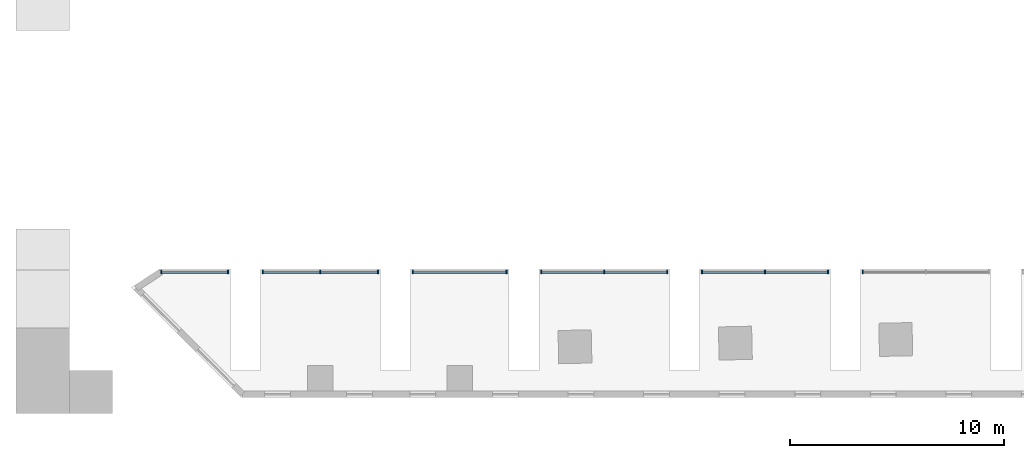
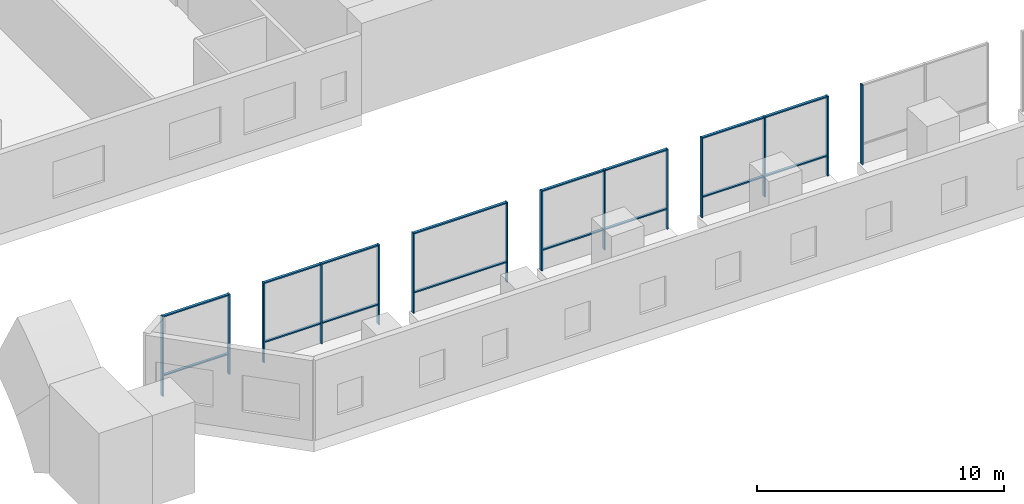
# One storey, part 2 of 12: 30 members, 6 elements without a shape of their own.
"""IFC4 building model written with IfcOpenShell, lengths in metres."""

from ifc_helpers import new_model, si_unit, direction, frame, origin, origin_2d, place, context, subcontext, project, spatial, rectangle, extrude, material, material_profile, profile_set, type_object, element, aggregate, save


model = new_model("IFC4")

# Units and contexts
model_context = context("Model", 3, precision=1e-05, world=origin(), true_north=direction((0.0, 1.0)))
body_context = subcontext(model_context, "Body", "Model", "MODEL_VIEW")
ifc_project = project(units=[si_unit("LENGTHUNIT", "METRE"), si_unit("AREAUNIT", "SQUARE_METRE"), si_unit("VOLUMEUNIT", "CUBIC_METRE"), si_unit("PLANEANGLEUNIT", "RADIAN"), si_unit("MASSUNIT", "GRAM", prefix="KILO")], contexts=[model_context])

# Site, building, storey
site_placement = place(None, origin())
site = spatial("IfcSite", under=ifc_project, at=site_placement, CompositionType="ELEMENT")
building_placement = place(site_placement, origin())
building = spatial("IfcBuilding", under=site, at=building_placement, Name="Mangrove Gate Tower", CompositionType="ELEMENT")
storey_placement = place(building_placement, frame((0.0, 0.0, 16.0)))
storey = spatial("IfcBuildingStorey", under=building, at=storey_placement, Name="L03", CompositionType="ELEMENT", Elevation=16.0)

# Curtain wall, member
ifc_material_1 = material(Name="Aluminium and glass curtain wall", Category="aluminium")
curtain_wall_type = type_object("IfcCurtainWallType", Name="Podium amenity glazing wall", PredefinedType="NOTDEFINED", material=ifc_material_1)
curtain_wall_1_placement = place(storey_placement, origin())
curtain_wall_1 = element("IfcCurtainWall", 1, at=curtain_wall_1_placement, inside=storey, type_object=curtain_wall_type, Name="Podium amenity glazing N4014", PredefinedType="NOTDEFINED")
ifc_material_2 = material(Name="Aluminium alloy 6063-T6", Category="aluminium")
ifc_material_profile_1 = material_profile(ifc_material_2, rectangle(XDim=0.06005859375, YDim=0.159912109375, at=origin_2d()))
ifc_profile_set_1 = profile_set([ifc_material_profile_1], Name="Aluminium alloy 6063-T6")
member_type_1 = type_object("IfcMemberType", Name="Podium amenity glazing mullion 60x160", PredefinedType="MULLION", material=ifc_profile_set_1)
member_1_placement = place(storey_placement, frame((0.81005859375, -25.14990234375, 0.0), z_axis=(0.0, 0.0, 1.0), x_axis=(-1.0, 0.0, 0.0)))
member_1 = element("IfcMember", 2, at=member_1_placement, type_object=member_type_1, Name="CWP mullion 3", PredefinedType="MULLION", context=body_context, shape_type="SweptSolid", body=[
    extrude(rectangle(XDim=0.06005859375, YDim=0.159912109375, at=origin_2d()), origin(), (0.0, 0.0, 1.0), 3.949951171875),
])
aggregate(curtain_wall_1, [member_1])

# Curtain wall, members
curtain_wall_2_placement = place(storey_placement, origin())
curtain_wall_2 = element("IfcCurtainWall", 3, at=curtain_wall_2_placement, inside=storey, type_object=curtain_wall_type, Name="Podium amenity glazing N4015", PredefinedType="NOTDEFINED")
member_2_placement = place(storey_placement, frame((-0.81005859375, -25.14990234375, 0.0), z_axis=(0.0, 0.0, 1.0), x_axis=(-1.0, 0.0, 0.0)))
member_2 = element("IfcMember", 4, at=member_2_placement, type_object=member_type_1, Name="CWP mullion 1", PredefinedType="MULLION", context=body_context, shape_type="SweptSolid", body=[
    extrude(rectangle(XDim=0.06005859375, YDim=0.159912109375, at=origin_2d()), origin(), (0.0, 0.0, 1.0), 3.949951171875),
])
member_3_placement = place(storey_placement, frame((-3.75, -25.14990234375, 0.0), z_axis=(0.0, 0.0, 1.0), x_axis=(-1.0, 0.0, 0.0)))
member_3 = element("IfcMember", 5, at=member_3_placement, type_object=member_type_1, Name="CWP mullion 2", PredefinedType="MULLION", context=body_context, shape_type="SweptSolid", body=[
    extrude(rectangle(XDim=0.06005859375, YDim=0.159912109375, at=origin_2d()), origin(), (0.0, 0.0, 1.0), 3.949951171875),
])
member_4_placement = place(storey_placement, frame((-6.68994140625, -25.14990234375, 0.0), z_axis=(0.0, 0.0, 1.0), x_axis=(-1.0, 0.0, 0.0)))
member_4 = element("IfcMember", 6, at=member_4_placement, type_object=member_type_1, Name="CWP mullion 3", PredefinedType="MULLION", context=body_context, shape_type="SweptSolid", body=[
    extrude(rectangle(XDim=0.06005859375, YDim=0.159912109375, at=origin_2d()), origin(), (0.0, 0.0, 1.0), 3.949951171875),
])

curtain_wall_3_placement = place(storey_placement, origin())
curtain_wall_3 = element("IfcCurtainWall", 7, at=curtain_wall_3_placement, inside=storey, type_object=curtain_wall_type, Name="Podium amenity glazing N4016", PredefinedType="NOTDEFINED")
member_5_placement = place(storey_placement, frame((-8.31005859375, -25.14990234375, 0.0), z_axis=(0.0, 0.0, 1.0), x_axis=(-1.0, 0.0, 0.0)))
member_5 = element("IfcMember", 8, at=member_5_placement, type_object=member_type_1, Name="CWP mullion 1", PredefinedType="MULLION", context=body_context, shape_type="SweptSolid", body=[
    extrude(rectangle(XDim=0.06005859375, YDim=0.159912109375, at=origin_2d()), origin(), (0.0, 0.0, 1.0), 3.949951171875),
])
member_6_placement = place(storey_placement, frame((-11.25, -25.14990234375, 0.0), z_axis=(0.0, 0.0, 1.0), x_axis=(-1.0, 0.0, 0.0)))
member_6 = element("IfcMember", 9, at=member_6_placement, type_object=member_type_1, Name="CWP mullion 2", PredefinedType="MULLION", context=body_context, shape_type="SweptSolid", body=[
    extrude(rectangle(XDim=0.06005859375, YDim=0.159912109375, at=origin_2d()), origin(), (0.0, 0.0, 1.0), 3.949951171875),
])
member_7_placement = place(storey_placement, frame((-14.18994140625, -25.14990234375, 0.0), z_axis=(0.0, 0.0, 1.0), x_axis=(-1.0, 0.0, 0.0)))
member_7 = element("IfcMember", 10, at=member_7_placement, type_object=member_type_1, Name="CWP mullion 3", PredefinedType="MULLION", context=body_context, shape_type="SweptSolid", body=[
    extrude(rectangle(XDim=0.06005859375, YDim=0.159912109375, at=origin_2d()), origin(), (0.0, 0.0, 1.0), 3.949951171875),
])

curtain_wall_4_placement = place(storey_placement, origin())
curtain_wall_4 = element("IfcCurtainWall", 11, at=curtain_wall_4_placement, inside=storey, type_object=curtain_wall_type, Name="Podium amenity glazing N4017", PredefinedType="NOTDEFINED")
member_8_placement = place(storey_placement, frame((-15.81005859375, -25.14990234375, 0.0), z_axis=(0.0, 0.0, 1.0), x_axis=(-1.0, 0.0, 0.0)))
member_8 = element("IfcMember", 12, at=member_8_placement, type_object=member_type_1, Name="CWP mullion 1", PredefinedType="MULLION", context=body_context, shape_type="SweptSolid", body=[
    extrude(rectangle(XDim=0.06005859375, YDim=0.159912109375, at=origin_2d()), origin(), (0.0, 0.0, 1.0), 3.949951171875),
])
member_9_placement = place(storey_placement, frame((-20.18994140625, -25.14990234375, 0.0), z_axis=(0.0, 0.0, 1.0), x_axis=(-1.0, 0.0, 0.0)))
member_9 = element("IfcMember", 13, at=member_9_placement, type_object=member_type_1, Name="CWP mullion 2", PredefinedType="MULLION", context=body_context, shape_type="SweptSolid", body=[
    extrude(rectangle(XDim=0.06005859375, YDim=0.159912109375, at=origin_2d()), origin(), (0.0, 0.0, 1.0), 3.949951171875),
])

curtain_wall_5_placement = place(storey_placement, origin())
curtain_wall_5 = element("IfcCurtainWall", 14, at=curtain_wall_5_placement, inside=storey, type_object=curtain_wall_type, Name="Podium amenity glazing N4018", PredefinedType="NOTDEFINED")
member_10_placement = place(storey_placement, frame((-21.81005859375, -25.14990234375, 0.0), z_axis=(0.0, 0.0, 1.0), x_axis=(-1.0, 0.0, 0.0)))
member_10 = element("IfcMember", 15, at=member_10_placement, type_object=member_type_1, Name="CWP mullion 1", PredefinedType="MULLION", context=body_context, shape_type="SweptSolid", body=[
    extrude(rectangle(XDim=0.06005859375, YDim=0.159912109375, at=origin_2d()), origin(), (0.0, 0.0, 1.0), 3.949951171875),
])
member_11_placement = place(storey_placement, frame((-24.5, -25.14990234375, 0.0), z_axis=(0.0, 0.0, 1.0), x_axis=(-1.0, 0.0, 0.0)))
member_11 = element("IfcMember", 16, at=member_11_placement, type_object=member_type_1, Name="CWP mullion 2", PredefinedType="MULLION", context=body_context, shape_type="SweptSolid", body=[
    extrude(rectangle(XDim=0.06005859375, YDim=0.159912109375, at=origin_2d()), origin(), (0.0, 0.0, 1.0), 3.949951171875),
])
member_12_placement = place(storey_placement, frame((-27.18994140625, -25.14990234375, 0.0), z_axis=(0.0, 0.0, 1.0), x_axis=(-1.0, 0.0, 0.0)))
member_12 = element("IfcMember", 17, at=member_12_placement, type_object=member_type_1, Name="CWP mullion 3", PredefinedType="MULLION", context=body_context, shape_type="SweptSolid", body=[
    extrude(rectangle(XDim=0.06005859375, YDim=0.159912109375, at=origin_2d()), origin(), (0.0, 0.0, 1.0), 3.949951171875),
])

curtain_wall_6_placement = place(storey_placement, origin())
curtain_wall_6 = element("IfcCurtainWall", 18, at=curtain_wall_6_placement, inside=storey, type_object=curtain_wall_type, Name="Podium amenity glazing N4019", PredefinedType="NOTDEFINED")
member_13_placement = place(storey_placement, frame((-28.81005859375, -25.14990234375, 0.0), z_axis=(0.0, 0.0, 1.0), x_axis=(-1.0, 0.0, 0.0)))
member_13 = element("IfcMember", 19, at=member_13_placement, type_object=member_type_1, Name="CWP mullion 1", PredefinedType="MULLION", context=body_context, shape_type="SweptSolid", body=[
    extrude(rectangle(XDim=0.06005859375, YDim=0.159912109375, at=origin_2d()), origin(), (0.0, 0.0, 1.0), 3.949951171875),
])
member_14_placement = place(storey_placement, frame((-31.92529296875, -25.14990234375, 0.0), z_axis=(0.0, 0.0, 1.0), x_axis=(-1.0, 0.0, 0.0)))
member_14 = element("IfcMember", 20, at=member_14_placement, type_object=member_type_1, Name="CWP mullion 2", PredefinedType="MULLION", context=body_context, shape_type="SweptSolid", body=[
    extrude(rectangle(XDim=0.06005859375, YDim=0.159912109375, at=origin_2d()), origin(), (0.0, 0.0, 1.0), 3.949951171875),
])

# Member
ifc_material_3 = material(Name="Aluminium alloy 6063-T6", Category="aluminium")
ifc_material_profile_2 = material_profile(ifc_material_3, rectangle(XDim=0.06005859375, YDim=0.1201171875, at=origin_2d()))
ifc_profile_set_2 = profile_set([ifc_material_profile_2], Name="Aluminium alloy 6063-T6")
member_type_2 = type_object("IfcMemberType", Name="Podium amenity glazing transom 60x120", PredefinedType="USERDEFINED", material=ifc_profile_set_2)
member_15_placement = place(storey_placement, frame((-0.840087890625, -25.14990234375, 1.0), z_axis=(-1.0, 0.0, 0.0), x_axis=(0.0, 0.0, 1.0)))
member_15 = element("IfcMember", 21, at=member_15_placement, type_object=member_type_2, Name="CWP transom 1.2", ObjectType="TRANSOM", PredefinedType="USERDEFINED", context=body_context, shape_type="SweptSolid", body=[
    extrude(rectangle(XDim=0.06005859375, YDim=0.1201171875, at=origin_2d()), origin(), (0.0, 0.0, 1.0), 2.8798828125),
])

member_16_placement = place(storey_placement, frame((-0.840087890625, -25.14990234375, 3.919921875), z_axis=(-1.0, 0.0, 0.0), x_axis=(0.0, 0.0, 1.0)))
member_16 = element("IfcMember", 22, at=member_16_placement, type_object=member_type_2, Name="CWP transom 1.3", ObjectType="TRANSOM", PredefinedType="USERDEFINED", context=body_context, shape_type="SweptSolid", body=[
    extrude(rectangle(XDim=0.06005859375, YDim=0.1201171875, at=origin_2d()), origin(), (0.0, 0.0, 1.0), 2.8798828125),
])

member_17_placement = place(storey_placement, frame((-3.780029296875, -25.14990234375, 1.0), z_axis=(-1.0, 0.0, 0.0), x_axis=(0.0, 0.0, 1.0)))
member_17 = element("IfcMember", 23, at=member_17_placement, type_object=member_type_2, Name="CWP transom 2.2", ObjectType="TRANSOM", PredefinedType="USERDEFINED", context=body_context, shape_type="SweptSolid", body=[
    extrude(rectangle(XDim=0.06005859375, YDim=0.1201171875, at=origin_2d()), origin(), (0.0, 0.0, 1.0), 2.8798828125),
])

member_18_placement = place(storey_placement, frame((-3.780029296875, -25.14990234375, 3.919921875), z_axis=(-1.0, 0.0, 0.0), x_axis=(0.0, 0.0, 1.0)))
member_18 = element("IfcMember", 24, at=member_18_placement, type_object=member_type_2, Name="CWP transom 2.3", ObjectType="TRANSOM", PredefinedType="USERDEFINED", context=body_context, shape_type="SweptSolid", body=[
    extrude(rectangle(XDim=0.06005859375, YDim=0.1201171875, at=origin_2d()), origin(), (0.0, 0.0, 1.0), 2.8798828125),
])

aggregate(curtain_wall_2, [member_2, member_3, member_4, member_15, member_16, member_17, member_18])

member_19_placement = place(storey_placement, frame((-8.340087890625, -25.14990234375, 1.0), z_axis=(-1.0, 0.0, 0.0), x_axis=(0.0, 0.0, 1.0)))
member_19 = element("IfcMember", 25, at=member_19_placement, type_object=member_type_2, Name="CWP transom 1.2", ObjectType="TRANSOM", PredefinedType="USERDEFINED", context=body_context, shape_type="SweptSolid", body=[
    extrude(rectangle(XDim=0.06005859375, YDim=0.1201171875, at=origin_2d()), origin(), (0.0, 0.0, 1.0), 2.8798828125),
])

member_20_placement = place(storey_placement, frame((-8.340087890625, -25.14990234375, 3.919921875), z_axis=(-1.0, 0.0, 0.0), x_axis=(0.0, 0.0, 1.0)))
member_20 = element("IfcMember", 26, at=member_20_placement, type_object=member_type_2, Name="CWP transom 1.3", ObjectType="TRANSOM", PredefinedType="USERDEFINED", context=body_context, shape_type="SweptSolid", body=[
    extrude(rectangle(XDim=0.06005859375, YDim=0.1201171875, at=origin_2d()), origin(), (0.0, 0.0, 1.0), 2.8798828125),
])

member_21_placement = place(storey_placement, frame((-11.280029296875, -25.14990234375, 1.0), z_axis=(-1.0, 0.0, 0.0), x_axis=(0.0, 0.0, 1.0)))
member_21 = element("IfcMember", 27, at=member_21_placement, type_object=member_type_2, Name="CWP transom 2.2", ObjectType="TRANSOM", PredefinedType="USERDEFINED", context=body_context, shape_type="SweptSolid", body=[
    extrude(rectangle(XDim=0.06005859375, YDim=0.1201171875, at=origin_2d()), origin(), (0.0, 0.0, 1.0), 2.8798828125),
])

member_22_placement = place(storey_placement, frame((-11.280029296875, -25.14990234375, 3.919921875), z_axis=(-1.0, 0.0, 0.0), x_axis=(0.0, 0.0, 1.0)))
member_22 = element("IfcMember", 28, at=member_22_placement, type_object=member_type_2, Name="CWP transom 2.3", ObjectType="TRANSOM", PredefinedType="USERDEFINED", context=body_context, shape_type="SweptSolid", body=[
    extrude(rectangle(XDim=0.06005859375, YDim=0.1201171875, at=origin_2d()), origin(), (0.0, 0.0, 1.0), 2.8798828125),
])

aggregate(curtain_wall_3, [member_5, member_6, member_7, member_19, member_20, member_21, member_22])

member_23_placement = place(storey_placement, frame((-15.840087890625, -25.14990234375, 1.0), z_axis=(-1.0, 0.0, 0.0), x_axis=(0.0, 0.0, 1.0)))
member_23 = element("IfcMember", 29, at=member_23_placement, type_object=member_type_2, Name="CWP transom 1.2", ObjectType="TRANSOM", PredefinedType="USERDEFINED", context=body_context, shape_type="SweptSolid", body=[
    extrude(rectangle(XDim=0.06005859375, YDim=0.1201171875, at=origin_2d()), origin(), (0.0, 0.0, 1.0), 4.31982421875),
])

member_24_placement = place(storey_placement, frame((-15.840087890625, -25.14990234375, 3.919921875), z_axis=(-1.0, 0.0, 0.0), x_axis=(0.0, 0.0, 1.0)))
member_24 = element("IfcMember", 30, at=member_24_placement, type_object=member_type_2, Name="CWP transom 1.3", ObjectType="TRANSOM", PredefinedType="USERDEFINED", context=body_context, shape_type="SweptSolid", body=[
    extrude(rectangle(XDim=0.06005859375, YDim=0.1201171875, at=origin_2d()), origin(), (0.0, 0.0, 1.0), 4.31982421875),
])

aggregate(curtain_wall_4, [member_8, member_9, member_23, member_24])

member_25_placement = place(storey_placement, frame((-21.840087890625, -25.14990234375, 1.0), z_axis=(-1.0, 0.0, 0.0), x_axis=(0.0, 0.0, 1.0)))
member_25 = element("IfcMember", 31, at=member_25_placement, type_object=member_type_2, Name="CWP transom 1.2", ObjectType="TRANSOM", PredefinedType="USERDEFINED", context=body_context, shape_type="SweptSolid", body=[
    extrude(rectangle(XDim=0.06005859375, YDim=0.1201171875, at=origin_2d()), origin(), (0.0, 0.0, 1.0), 2.6298828125),
])

member_26_placement = place(storey_placement, frame((-21.840087890625, -25.14990234375, 3.919921875), z_axis=(-1.0, 0.0, 0.0), x_axis=(0.0, 0.0, 1.0)))
member_26 = element("IfcMember", 32, at=member_26_placement, type_object=member_type_2, Name="CWP transom 1.3", ObjectType="TRANSOM", PredefinedType="USERDEFINED", context=body_context, shape_type="SweptSolid", body=[
    extrude(rectangle(XDim=0.06005859375, YDim=0.1201171875, at=origin_2d()), origin(), (0.0, 0.0, 1.0), 2.6298828125),
])

member_27_placement = place(storey_placement, frame((-24.530029296875, -25.14990234375, 1.0), z_axis=(-1.0, 0.0, 0.0), x_axis=(0.0, 0.0, 1.0)))
member_27 = element("IfcMember", 33, at=member_27_placement, type_object=member_type_2, Name="CWP transom 2.2", ObjectType="TRANSOM", PredefinedType="USERDEFINED", context=body_context, shape_type="SweptSolid", body=[
    extrude(rectangle(XDim=0.06005859375, YDim=0.1201171875, at=origin_2d()), origin(), (0.0, 0.0, 1.0), 2.6298828125),
])

member_28_placement = place(storey_placement, frame((-24.530029296875, -25.14990234375, 3.919921875), z_axis=(-1.0, 0.0, 0.0), x_axis=(0.0, 0.0, 1.0)))
member_28 = element("IfcMember", 34, at=member_28_placement, type_object=member_type_2, Name="CWP transom 2.3", ObjectType="TRANSOM", PredefinedType="USERDEFINED", context=body_context, shape_type="SweptSolid", body=[
    extrude(rectangle(XDim=0.06005859375, YDim=0.1201171875, at=origin_2d()), origin(), (0.0, 0.0, 1.0), 2.6298828125),
])

aggregate(curtain_wall_5, [member_10, member_11, member_12, member_25, member_26, member_27, member_28])

member_29_placement = place(storey_placement, frame((-28.840087890625, -25.14990234375, 1.0), z_axis=(-1.0, 0.0, 0.0), x_axis=(0.0, 0.0, 1.0)))
member_29 = element("IfcMember", 35, at=member_29_placement, type_object=member_type_2, Name="CWP transom 1.2", ObjectType="TRANSOM", PredefinedType="USERDEFINED", context=body_context, shape_type="SweptSolid", body=[
    extrude(rectangle(XDim=0.06005859375, YDim=0.1201171875, at=origin_2d()), origin(), (0.0, 0.0, 1.0), 3.05517578125),
])

member_30_placement = place(storey_placement, frame((-28.840087890625, -25.14990234375, 3.919921875), z_axis=(-1.0, 0.0, 0.0), x_axis=(0.0, 0.0, 1.0)))
member_30 = element("IfcMember", 36, at=member_30_placement, type_object=member_type_2, Name="CWP transom 1.3", ObjectType="TRANSOM", PredefinedType="USERDEFINED", context=body_context, shape_type="SweptSolid", body=[
    extrude(rectangle(XDim=0.06005859375, YDim=0.1201171875, at=origin_2d()), origin(), (0.0, 0.0, 1.0), 3.05517578125),
])

aggregate(curtain_wall_6, [member_13, member_14, member_29, member_30])

save(model, "model.ifc")
